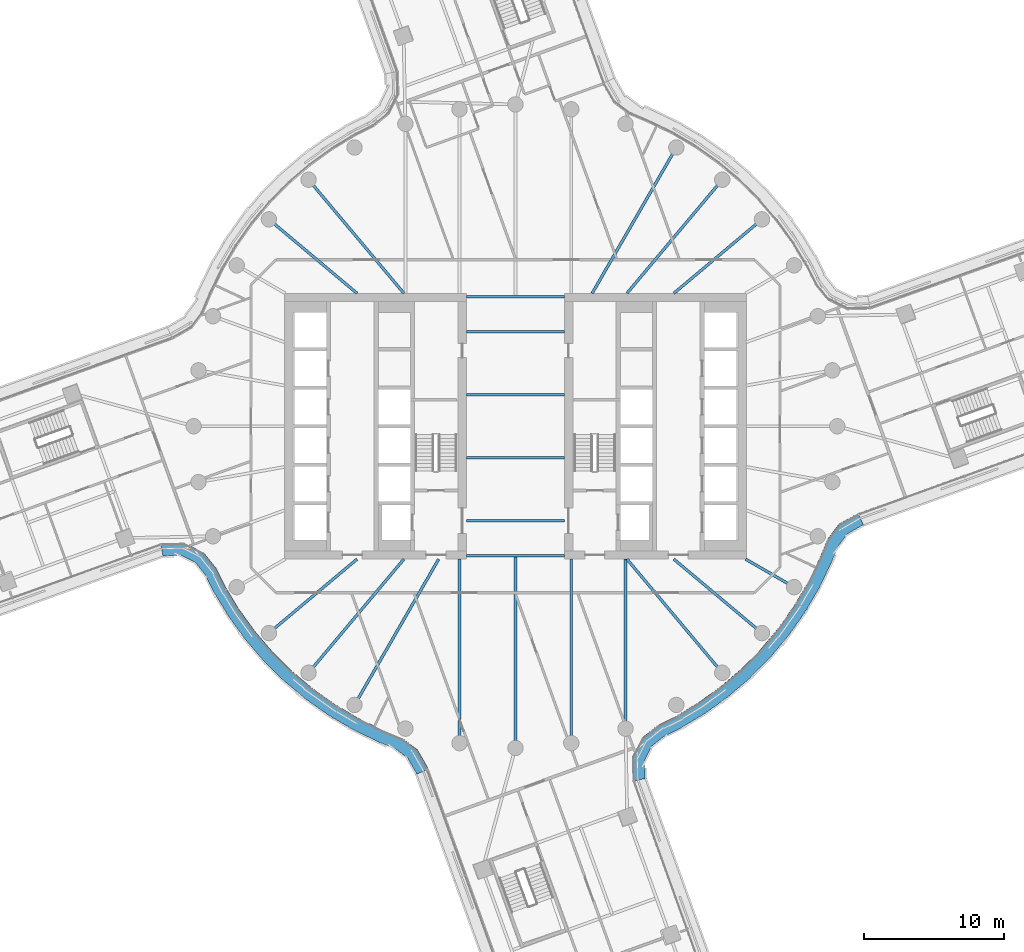
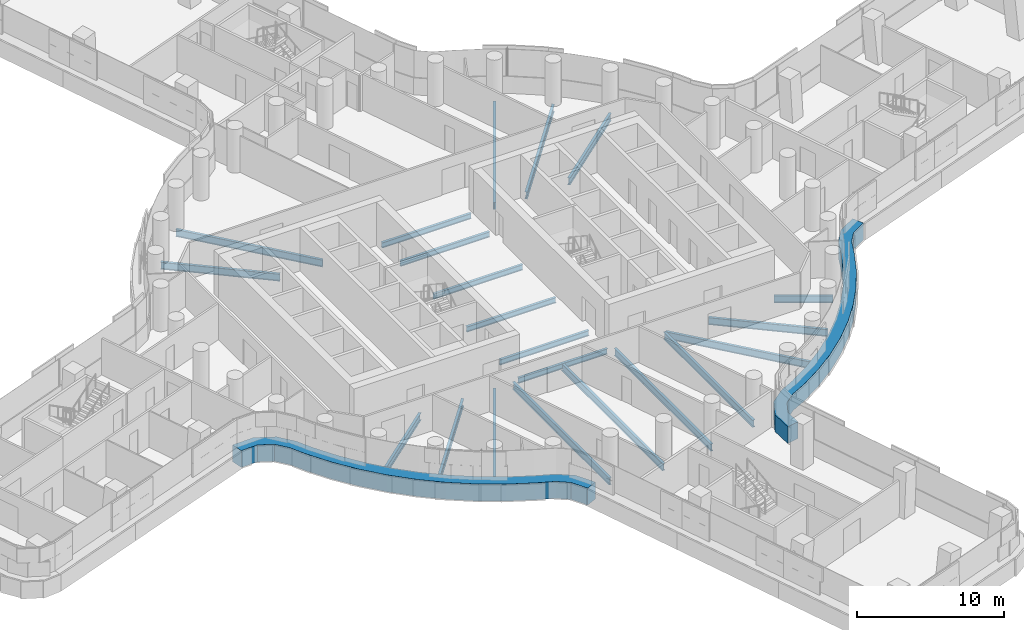
# One storey, part 8 of 30: 21 beams, 2 members, 2 elements without a shape of their own.
"""IFC4 building model written with IfcOpenShell, lengths in metres."""

from ifc_helpers import new_model, si_unit, direction, frame, origin, origin_2d, place, context, subcontext, project, spatial, polyline, i_section, outline, extrude, material, layer, layer_set, material_profile, profile_set, type_object, element, aggregate, save


model = new_model("IFC4")

# Units and contexts
model_context = context("Model", 3, precision=1e-05, world=origin(), true_north=direction((0.0, 1.0)))
body_context = subcontext(model_context, "Body", "Model", "MODEL_VIEW")
ifc_project = project(units=[si_unit("LENGTHUNIT", "METRE"), si_unit("AREAUNIT", "SQUARE_METRE"), si_unit("VOLUMEUNIT", "CUBIC_METRE"), si_unit("PLANEANGLEUNIT", "RADIAN"), si_unit("MASSUNIT", "GRAM", prefix="KILO")], contexts=[model_context])

# Site, building, storey
site_placement = place(None, origin())
site = spatial("IfcSite", under=ifc_project, at=site_placement, CompositionType="ELEMENT")
building_placement = place(site_placement, origin())
building = spatial("IfcBuilding", under=site, at=building_placement, Name="Tamarind Cross Interchange Tower", CompositionType="ELEMENT")
storey_placement = place(building_placement, frame((0.0, 0.0, 106.0)))
storey = spatial("IfcBuildingStorey", under=building, at=storey_placement, Name="L25", CompositionType="ELEMENT", Elevation=106.0)

# Beams
ifc_material_1 = material(Name="Steel Q355B", Category="steel")
ifc_material_profile_1 = material_profile(ifc_material_1, i_section(OverallWidth=0.198974609375, OverallDepth=0.446044921875, WebThickness=0.008056640625, FlangeThickness=0.011962890625, FilletRadius=0.012939453125, at=origin_2d()), Name="HN 446x199x8x12")
ifc_profile_set_1 = profile_set([ifc_material_profile_1], Name="Steel Q355B")
beam_type_1 = type_object("IfcBeamType", Name="Composite beam HN 446x199x8x12 Q355B", PredefinedType="BEAM", material=ifc_profile_set_1)
for number, where, z_axis, x_axis, name in (
    (1, (-3.5, -2.25, -0.363037109375), (1.0, 0.0, 0.0), (0.0, 1.0, 0.0), "Beam G-2.25"),
    (2, (-3.5, -6.75, -0.363037109375), (1.0, 0.0, 0.0), (0.0, 1.0, 0.0), "Beam G-6.75"),
    (3, (-3.5, -9.25, -0.363037109375), (1.0, 0.0, 0.0), (0.0, 1.0, 0.0), "Beam G-9.25"),
    (4, (-3.5, 2.25, -0.363037109375), (1.0, 0.0, 0.0), (0.0, 1.0, 0.0), "Beam G2.25"),
    (5, (-3.5, 6.75, -0.363037109375), (1.0, 0.0, 0.0), (0.0, 1.0, 0.0), "Beam G6.75"),
    (6, (-3.5, 9.25, -0.363037109375), (1.0, 0.0, 0.0), (0.0, 1.0, 0.0), "Beam G9.25"),
):
    element("IfcBeam", number, at=place(storey_placement, frame(where, z_axis=z_axis, x_axis=x_axis)), inside=storey, type_object=beam_type_1, Name=name, PredefinedType="BEAM", context=body_context, shape_type="SweptSolid", body=[
        extrude(i_section(OverallWidth=0.198974609375, OverallDepth=0.446044921875, WebThickness=0.008056640625, FlangeThickness=0.011962890625, FilletRadius=0.012939453125, at=origin_2d()), origin(), (0.0, 0.0, 1.0), 7.0),
    ])
ifc_material_profile_2 = material_profile(ifc_material_1, i_section(OverallWidth=0.198974609375, OverallDepth=0.595947265625, WebThickness=0.010009765625, FlangeThickness=0.014892578125, FilletRadius=0.012939453125, at=origin_2d()), Name="HN 596x199x10x15")
ifc_profile_set_2 = profile_set([ifc_material_profile_2], Name="Steel Q355B")
beam_type_2 = type_object("IfcBeamType", Name="Composite beam HN 596x199x10x15 Q355B", PredefinedType="BEAM", material=ifc_profile_set_2)
beam_1_placement = place(storey_placement, frame((17.619140625, 14.7841796875, -0.43798828125), z_axis=(-0.766040580814, -0.642792212574, 0.0), x_axis=(0.642792212574, -0.766040580814, 0.0)))
element("IfcBeam", 7, at=beam_1_placement, inside=storey, type_object=beam_type_2, Name="Beam HH04", PredefinedType="BEAM", context=body_context, shape_type="SweptSolid", body=[
    extrude(i_section(OverallWidth=0.198974609375, OverallDepth=0.595947265625, WebThickness=0.010009765625, FlangeThickness=0.014892578125, FilletRadius=0.012939453125, at=origin_2d()), origin(), (0.0, 0.0, 1.0), 8.220703125),
])
beam_2_placement = place(storey_placement, frame((14.7841796875, 17.619140625, -0.43798828125), z_axis=(-0.642786293979, -0.766045547127, 0.0), x_axis=(0.766045547127, -0.642786293979, 0.0)))
element("IfcBeam", 8, at=beam_2_placement, inside=storey, type_object=beam_type_2, Name="Beam HH05", PredefinedType="BEAM", context=body_context, shape_type="SweptSolid", body=[
    extrude(i_section(OverallWidth=0.198974609375, OverallDepth=0.595947265625, WebThickness=0.010009765625, FlangeThickness=0.014892578125, FilletRadius=0.012939453125, at=origin_2d()), origin(), (0.0, 0.0, 1.0), 10.598876953125),
])
beam_3_placement = place(storey_placement, frame((11.5, 19.918701171875, -0.43798828125), z_axis=(-0.499993565836, -0.866029118519, 0.0), x_axis=(0.866029118519, -0.499993565836, 0.0)))
element("IfcBeam", 9, at=beam_3_placement, inside=storey, type_object=beam_type_2, Name="Beam HH06", PredefinedType="BEAM", context=body_context, shape_type="SweptSolid", body=[
    extrude(i_section(OverallWidth=0.198974609375, OverallDepth=0.595947265625, WebThickness=0.010009765625, FlangeThickness=0.014892578125, FilletRadius=0.012939453125, at=origin_2d()), origin(), (0.0, 0.0, 1.0), 12.030517578125),
])
beam_4_placement = place(storey_placement, frame((-14.7841796875, 17.619140625, -0.43798828125), z_axis=(0.642786293979, -0.766045547127, 0.0), x_axis=(0.766045547127, 0.642786293979, 0.0)))
element("IfcBeam", 10, at=beam_4_placement, inside=storey, type_object=beam_type_2, Name="Beam HH13", PredefinedType="BEAM", context=body_context, shape_type="SweptSolid", body=[
    extrude(i_section(OverallWidth=0.198974609375, OverallDepth=0.595947265625, WebThickness=0.010009765625, FlangeThickness=0.014892578125, FilletRadius=0.012939453125, at=origin_2d()), origin(), (0.0, 0.0, 1.0), 10.598876953125),
])
for number, where, z_axis, x_axis, name in (
    (11, (-17.619140625, 14.7841796875, -0.43798828125), (0.766040580814, -0.642792212574, 0.0), (0.642792212574, 0.766040580814, 0.0), "Beam HH14"),
    (12, (-17.619140625, -14.7841796875, -0.43798828125), (0.766040580814, 0.642792212574, 0.0), (-0.642792212574, 0.766040580814, 0.0), "Beam HH22"),
):
    element("IfcBeam", number, at=place(storey_placement, frame(where, z_axis=z_axis, x_axis=x_axis)), inside=storey, type_object=beam_type_2, Name=name, PredefinedType="BEAM", context=body_context, shape_type="SweptSolid", body=[
        extrude(i_section(OverallWidth=0.198974609375, OverallDepth=0.595947265625, WebThickness=0.010009765625, FlangeThickness=0.014892578125, FilletRadius=0.012939453125, at=origin_2d()), origin(), (0.0, 0.0, 1.0), 8.220703125),
    ])
beam_5_placement = place(storey_placement, frame((-14.7841796875, -17.619140625, -0.43798828125), z_axis=(0.642786293979, 0.766045547127, 0.0), x_axis=(-0.766045547127, 0.642786293979, 0.0)))
element("IfcBeam", 13, at=beam_5_placement, inside=storey, type_object=beam_type_2, Name="Beam HH23", PredefinedType="BEAM", context=body_context, shape_type="SweptSolid", body=[
    extrude(i_section(OverallWidth=0.198974609375, OverallDepth=0.595947265625, WebThickness=0.010009765625, FlangeThickness=0.014892578125, FilletRadius=0.012939453125, at=origin_2d()), origin(), (0.0, 0.0, 1.0), 10.598876953125),
])
beam_6_placement = place(storey_placement, frame((-11.5, -19.918701171875, -0.43798828125), z_axis=(0.499993565836, 0.866029118519, 0.0), x_axis=(-0.866029118519, 0.499993565836, 0.0)))
element("IfcBeam", 14, at=beam_6_placement, inside=storey, type_object=beam_type_2, Name="Beam HH24", PredefinedType="BEAM", context=body_context, shape_type="SweptSolid", body=[
    extrude(i_section(OverallWidth=0.198974609375, OverallDepth=0.595947265625, WebThickness=0.010009765625, FlangeThickness=0.014892578125, FilletRadius=0.012939453125, at=origin_2d()), origin(), (0.0, 0.0, 1.0), 12.030517578125),
])
beam_7_placement = place(storey_placement, frame((-3.993896484375, -22.650634765625, -0.43798828125), z_axis=(0.0, 1.0, 0.0), x_axis=(-1.0, 0.0, 0.0)))
element("IfcBeam", 15, at=beam_7_placement, inside=storey, type_object=beam_type_2, Name="Beam HH26", PredefinedType="BEAM", context=body_context, shape_type="SweptSolid", body=[
    extrude(i_section(OverallWidth=0.198974609375, OverallDepth=0.595947265625, WebThickness=0.010009765625, FlangeThickness=0.014892578125, FilletRadius=0.012939453125, at=origin_2d()), origin(), (0.0, 0.0, 1.0), 13.150634765625),
])
beam_8_placement = place(storey_placement, frame((0.0, -23.0, -0.43798828125), z_axis=(0.0, 1.0, 0.0), x_axis=(-1.0, 0.0, 0.0)))
element("IfcBeam", 16, at=beam_8_placement, inside=storey, type_object=beam_type_2, Name="Beam HH27", PredefinedType="BEAM", context=body_context, shape_type="SweptSolid", body=[
    extrude(i_section(OverallWidth=0.198974609375, OverallDepth=0.595947265625, WebThickness=0.010009765625, FlangeThickness=0.014892578125, FilletRadius=0.012939453125, at=origin_2d()), origin(), (0.0, 0.0, 1.0), 13.75),
])
beam_9_placement = place(storey_placement, frame((3.993896484375, -22.650634765625, -0.43798828125), z_axis=(0.0, 1.0, 0.0), x_axis=(-1.0, 0.0, 0.0)))
element("IfcBeam", 17, at=beam_9_placement, inside=storey, type_object=beam_type_2, Name="Beam HH28", PredefinedType="BEAM", context=body_context, shape_type="SweptSolid", body=[
    extrude(i_section(OverallWidth=0.198974609375, OverallDepth=0.595947265625, WebThickness=0.010009765625, FlangeThickness=0.014892578125, FilletRadius=0.012939453125, at=origin_2d()), origin(), (0.0, 0.0, 1.0), 13.150634765625),
])
beam_10_placement = place(storey_placement, frame((7.866455078125, -21.613037109375, -0.43798828125), z_axis=(0.0, 1.0, 0.0), x_axis=(-1.0, 0.0, 0.0)))
element("IfcBeam", 18, at=beam_10_placement, inside=storey, type_object=beam_type_2, Name="Beam HH29", PredefinedType="BEAM", context=body_context, shape_type="SweptSolid", body=[
    extrude(i_section(OverallWidth=0.198974609375, OverallDepth=0.595947265625, WebThickness=0.010009765625, FlangeThickness=0.014892578125, FilletRadius=0.012939453125, at=origin_2d()), origin(), (0.0, 0.0, 1.0), 12.113037109375),
])
beam_11_placement = place(storey_placement, frame((14.7841796875, -17.619140625, -0.43798828125), z_axis=(-0.642786293979, 0.766045547127, 0.0), x_axis=(-0.766045547127, -0.642786293979, 0.0)))
element("IfcBeam", 19, at=beam_11_placement, inside=storey, type_object=beam_type_2, Name="Beam HH31", PredefinedType="BEAM", context=body_context, shape_type="SweptSolid", body=[
    extrude(i_section(OverallWidth=0.198974609375, OverallDepth=0.595947265625, WebThickness=0.010009765625, FlangeThickness=0.014892578125, FilletRadius=0.012939453125, at=origin_2d()), origin(), (0.0, 0.0, 1.0), 10.598876953125),
])
beam_12_placement = place(storey_placement, frame((17.619140625, -14.7841796875, -0.43798828125), z_axis=(-0.766040580814, 0.642792212574, 0.0), x_axis=(-0.642792212574, -0.766040580814, 0.0)))
element("IfcBeam", 20, at=beam_12_placement, inside=storey, type_object=beam_type_2, Name="Beam HH32", PredefinedType="BEAM", context=body_context, shape_type="SweptSolid", body=[
    extrude(i_section(OverallWidth=0.198974609375, OverallDepth=0.595947265625, WebThickness=0.010009765625, FlangeThickness=0.014892578125, FilletRadius=0.012939453125, at=origin_2d()), origin(), (0.0, 0.0, 1.0), 8.220703125),
])
beam_13_placement = place(storey_placement, frame((19.918701171875, -11.5, -0.43798828125), z_axis=(-0.866026010844, 0.49999894854, 0.0), x_axis=(-0.49999894854, -0.866026010844, 0.0)))
element("IfcBeam", 21, at=beam_13_placement, inside=storey, type_object=beam_type_2, Name="Beam HH33", PredefinedType="BEAM", context=body_context, shape_type="SweptSolid", body=[
    extrude(i_section(OverallWidth=0.198974609375, OverallDepth=0.595947265625, WebThickness=0.010009765625, FlangeThickness=0.014892578125, FilletRadius=0.012939453125, at=origin_2d()), origin(), (0.0, 0.0, 1.0), 4.0),
])

# Curtain wall, member
ifc_material_2 = material(Name="Aluminium 6063-T6", Category="aluminium")
ifc_layer = layer(ifc_material_2, 0.159912109375)
ifc_layer_set = layer_set([ifc_layer], Name="Aluminium 6063-T6")
curtain_wall_type = type_object("IfcCurtainWallType", Name="Office curtain wall, 9.0 m bays", PredefinedType="NOTDEFINED", material=ifc_layer_set)
curtain_wall_1_placement = place(storey_placement, origin())
curtain_wall_1 = element("IfcCurtainWall", 22, at=curtain_wall_1_placement, inside=storey, type_object=curtain_wall_type, Name="CWS-L25-02", PredefinedType="NOTDEFINED")
ifc_material_3 = material(Name="Aluminium and insulated spandrel panel", Category="aluminium")
member_type = type_object("IfcMemberType", Name="Floor-edge blade transom", PredefinedType="USERDEFINED", material=ifc_material_3)
member_1_placement = place(storey_placement, origin())
member_1 = element("IfcMember", 23, at=member_1_placement, type_object=member_type, Name="CWT-L25-02", ObjectType="TRANSOM", PredefinedType="USERDEFINED", context=body_context, shape_type="SweptSolid", body=[
    extrude(outline(polyline([(-25.362060546875, -8.368408203125), (-23.6923828125, -8.321044921875), (-22.293701171875, -9.0234375), (-21.4052734375, -10.130859375), (-20.791259765625, -11.3671875), (-19.78125, -13.045654296875), (-18.636474609375, -14.634521484375), (-17.3642578125, -16.12353515625), (-15.973388671875, -17.50244140625), (-14.4736328125, -18.76171875), (-12.874755859375, -19.892822265625), (-11.188232421875, -20.88818359375), (-9.4208984375, -21.74267578125), (-8.06201171875, -22.31494140625), (-7.00537109375, -23.119140625), (-6.510986328125, -23.973876953125), (-6.220458984375, -24.50048828125), (-7.04296875, -24.873046875), (-7.294677734375, -24.41650390625), (-7.694091796875, -23.72607421875), (-8.516357421875, -23.10009765625), (-9.79150390625, -22.56298828125), (-11.613525390625, -21.68212890625), (-13.3642578125, -20.64892578125), (-15.023681640625, -19.474853515625), (-16.580810546875, -18.167724609375), (-18.0244140625, -16.736572265625), (-19.344970703125, -15.19091796875), (-20.533203125, -13.54150390625), (-21.5810546875, -11.800048828125), (-22.16796875, -10.6181640625), (-22.873046875, -9.73974609375), (-23.8935546875, -9.22705078125), (-25.19287109375, -9.263916015625), (-25.362060546875, -8.368408203125)])), origin(), (0.0, 0.0, 1.0), 1.39990234375),
])
aggregate(curtain_wall_1, [member_1])

curtain_wall_2_placement = place(storey_placement, origin())
curtain_wall_2 = element("IfcCurtainWall", 24, at=curtain_wall_2_placement, inside=storey, type_object=curtain_wall_type, Name="CWS-L25-06", PredefinedType="NOTDEFINED")
member_2_placement = place(storey_placement, origin())
member_2 = element("IfcMember", 25, at=member_2_placement, type_object=member_type, Name="CWT-L25-06", ObjectType="TRANSOM", PredefinedType="USERDEFINED", context=body_context, shape_type="SweptSolid", body=[
    extrude(outline(polyline([(8.368408203125, -25.362060546875), (8.321044921875, -23.6923828125), (9.0234375, -22.293701171875), (10.130859375, -21.4052734375), (11.3671875, -20.791259765625), (13.045654296875, -19.78125), (14.634521484375, -18.636474609375), (16.12353515625, -17.3642578125), (17.50244140625, -15.973388671875), (18.76171875, -14.4736328125), (19.892822265625, -12.874755859375), (20.88818359375, -11.188232421875), (21.74267578125, -9.4208984375), (22.31494140625, -8.06201171875), (23.119140625, -7.00537109375), (23.973876953125, -6.510986328125), (24.50048828125, -6.220458984375), (24.873046875, -7.04296875), (24.41650390625, -7.294677734375), (23.72607421875, -7.694091796875), (23.10009765625, -8.516357421875), (22.56298828125, -9.79150390625), (21.68212890625, -11.613525390625), (20.64892578125, -13.3642578125), (19.474853515625, -15.023681640625), (18.167724609375, -16.580810546875), (16.736572265625, -18.0244140625), (15.19091796875, -19.344970703125), (13.54150390625, -20.533203125), (11.800048828125, -21.5810546875), (10.6181640625, -22.16796875), (9.73974609375, -22.873046875), (9.22705078125, -23.8935546875), (9.263916015625, -25.19287109375), (8.368408203125, -25.362060546875)])), origin(), (0.0, 0.0, 1.0), 1.39990234375),
])
aggregate(curtain_wall_2, [member_2])

save(model, "model.ifc")
